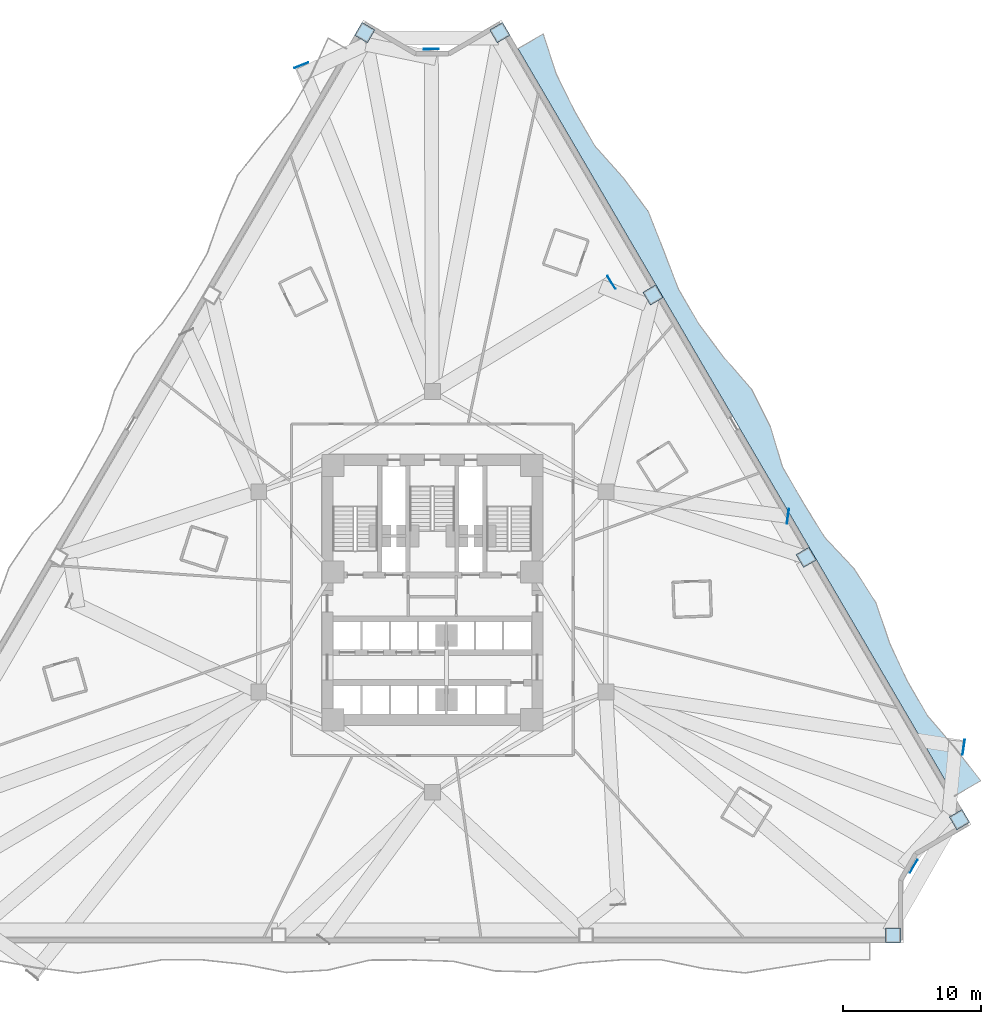
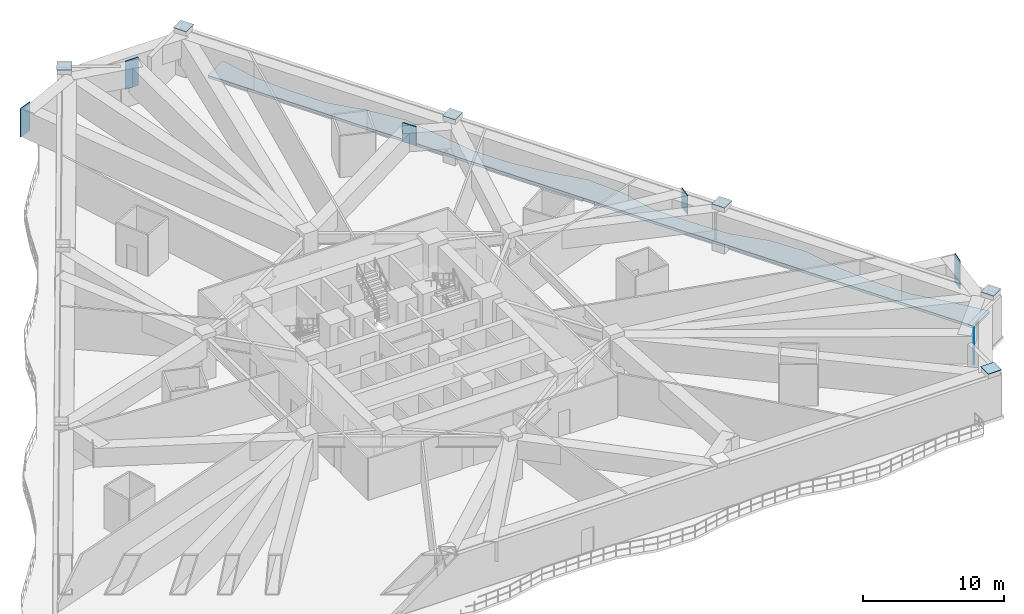
# One storey, part 6 of 16: 12 plates, 1 slab.
"""IFC4 building model written with IfcOpenShell, lengths in metres."""

import ifcopenshell
import ifcopenshell.guid

model = None  # the IFC model being written
_history = None  # IfcOwnerHistory: only IFC2X3 demands one
_inside = {}  # id of a spatial element -> (the spatial element, [elements in it])
_under = {}  # id of a project, library or spatial element -> (it, [spatial elements below it])
_declared = {}  # id of a project -> (the project, [libraries it declares])
_typed = {}  # id of a type object -> (the type object, [elements of that type])
_made_of = {}  # id of a material, layer set ... -> (it, [elements and type objects made of it])


def new_model(schema):
    """Start an empty IFC model of exactly this schema.

    Asked for "IFC4X3", IfcOpenShell would pick the latest addendum, in which some entities
    have other attributes; the version numbers below select the first issue.
    IFC2X3 requires an IfcOwnerHistory on every rooted entity: one is made here for all.
    """
    global model, _history
    if schema == "IFC4X3":
        model = ifcopenshell.file(schema_version=(4, 3, 0, 0))
    else:
        model = ifcopenshell.file(schema=schema)
    _inside.clear()
    _under.clear()
    _declared.clear()
    _typed.clear()
    _made_of.clear()
    _history = None
    if model.schema == "IFC2X3":
        org = make("IfcOrganization", Name="unknown")
        user = make(
            "IfcPersonAndOrganization",
            ThePerson=make("IfcPerson", FamilyName="unknown"),
            TheOrganization=org,
        )
        app = make(
            "IfcApplication",
            ApplicationDeveloper=org,
            Version="unknown",
            ApplicationFullName="unknown",
            ApplicationIdentifier="unknown",
        )
        _history = make(
            "IfcOwnerHistory",
            OwningUser=user,
            OwningApplication=app,
            ChangeAction="ADDED",
            CreationDate=0,
        )
    return model


def make(cls, **values):
    """One entity of the class cls with the attributes given. An attribute that is None is left unset."""
    return model.create_entity(
        cls, **{name: value for name, value in values.items() if value is not None}
    )


def rooted(cls, **values):
    """An entity with a GlobalId (a new one), such as an element, a storey or a relation."""
    return make(cls, GlobalId=ifcopenshell.guid.new(), OwnerHistory=_history, **values)


def si_unit(unit_type, name, prefix=None):
    """IfcSIUnit, for example si_unit("LENGTHUNIT", "METRE", prefix="MILLI")."""
    return make("IfcSIUnit", UnitType=unit_type, Prefix=prefix, Name=name)


def assignment(units):
    """IfcUnitAssignment: the units of a project."""
    return None if units is None else make("IfcUnitAssignment", Units=units)


def point(xyz):
    """IfcCartesianPoint."""
    return None if xyz is None else make("IfcCartesianPoint", Coordinates=xyz)


def direction(xyz):
    """IfcDirection."""
    return None if xyz is None else make("IfcDirection", DirectionRatios=xyz)


def frame(location, z_axis=None, x_axis=None):
    """IfcAxis2Placement3D, a coordinate frame: its origin and axes. An axis left out is left unset."""
    return make(
        "IfcAxis2Placement3D",
        Location=point(location),
        Axis=direction(z_axis),
        RefDirection=direction(x_axis),
    )


def frame_2d(location, x_axis=None):
    """IfcAxis2Placement2D, a coordinate frame in the plane: its origin and x axis."""
    return make(
        "IfcAxis2Placement2D", Location=point(location), RefDirection=direction(x_axis)
    )


def origin():
    """The frame at (0, 0, 0) with its axes left unset."""
    return frame((0.0, 0.0, 0.0))


def origin_2d():
    """The frame at (0, 0) in the plane with its x axis left unset."""
    return frame_2d((0.0, 0.0))


def place(relative_to, where):
    """IfcLocalPlacement: puts the frame where relative to a parent placement (None: the world)."""
    return make(
        "IfcLocalPlacement", PlacementRelTo=relative_to, RelativePlacement=where
    )


def context(
    kind, dimensions, precision=None, world=None, true_north=None, identifier=None
):
    """IfcGeometricRepresentationContext, for example the 3D "Model" context."""
    return make(
        "IfcGeometricRepresentationContext",
        ContextIdentifier=identifier,
        ContextType=kind,
        CoordinateSpaceDimension=dimensions,
        Precision=precision,
        WorldCoordinateSystem=world,
        TrueNorth=true_north,
    )


def subcontext(parent, identifier, kind, view, scale=None):
    """IfcGeometricRepresentationSubContext, for example "Body" below "Model"."""
    return make(
        "IfcGeometricRepresentationSubContext",
        ContextIdentifier=identifier,
        ContextType=kind,
        ParentContext=parent,
        TargetScale=scale,
        TargetView=view,
    )


def project(units=None, contexts=None):
    """IfcProject with its units and contexts."""
    return rooted(
        "IfcProject",
        Name="project",
        RepresentationContexts=contexts,
        UnitsInContext=assignment(units),
    )


def spatial(cls, under=None, at=None, **own):
    """A site, building, storey or space (cls), placed at a placement, below another one or the project."""
    s = rooted(cls, ObjectPlacement=at, **own)
    if under is not None:
        _under.setdefault(under.id(), (under, []))[1].append(s)
    return s


def polyline(points):
    """IfcPolyline through the points."""
    return make("IfcPolyline", Points=[point(p) for p in points])


def profile(cls, at=None, kind="AREA", **sizes):
    """A parametric profile (cls). Its sizes go by their IFC names, for example OverallWidth=200.0."""
    return make(cls, ProfileType=kind, Position=at, **sizes)


def rectangle(**sizes):
    """IfcRectangleProfileDef."""
    return profile("IfcRectangleProfileDef", **sizes)


def outline(outer, holes=None, kind="AREA"):
    """IfcArbitraryClosedProfileDef: a profile drawn as a closed curve; with holes, ...WithVoids."""
    if holes is None:
        return make("IfcArbitraryClosedProfileDef", ProfileType=kind, OuterCurve=outer)
    return make(
        "IfcArbitraryProfileDefWithVoids",
        ProfileType=kind,
        OuterCurve=outer,
        InnerCurves=holes,
    )


def extrude(swept, where, along, depth):
    """IfcExtrudedAreaSolid: the profile swept, set in the frame where, extruded along a direction by depth."""
    return make(
        "IfcExtrudedAreaSolid",
        SweptArea=swept,
        Position=where,
        ExtrudedDirection=direction(along),
        Depth=depth,
    )


def shape(context_of_items, identifier, shape_type, items):
    """IfcShapeRepresentation: the items that make up one representation, for example the "Body"."""
    return make(
        "IfcShapeRepresentation",
        ContextOfItems=context_of_items,
        RepresentationIdentifier=identifier,
        RepresentationType=shape_type,
        Items=items,
    )


def material(Name=None, Category=None):
    """IfcMaterial."""
    return make("IfcMaterial", Name=Name, Category=Category)


def layer(
    of_material, thickness, ventilated=None, Name=None, Category=None, Priority=None
):
    """IfcMaterialLayer: one layer of a wall or slab, of a material (None: an air gap)."""
    return make(
        "IfcMaterialLayer",
        Material=of_material,
        LayerThickness=thickness,
        IsVentilated=ventilated,
        Name=Name,
        Category=Category,
        Priority=Priority,
    )


def layer_set(layers, Name=None):
    """IfcMaterialLayerSet."""
    return make("IfcMaterialLayerSet", MaterialLayers=layers, LayerSetName=Name)


def made_of(thing, what):
    """Note that an element or type object is made of a material, layer set ...; save() writes the relation."""
    if what is not None:
        _made_of.setdefault(what.id(), (what, []))[1].append(thing)
    return thing


def type_object(cls, material=None, **own):
    """A type object (cls), such as IfcWallType, which elements share."""
    return made_of(rooted(cls, **own), material)


def element(
    cls,
    number,
    at=None,
    inside=None,
    cuts=None,
    type_object=None,
    material=None,
    context=None,
    identifier="Body",
    shape_type=None,
    held_by="IfcProductDefinitionShape",
    body=None,
    shapes=None,
    **own,
):
    """One element of the class cls, such as IfcWall. Its Tag is "e" and its number.

    at: its placement. inside: the storey or other place that contains it. cuts: it is an
    opening in that element (IfcRelVoidsElement). A single representation is given by context,
    identifier, shape_type and body (its items); several are given by shapes. held_by: the class
    of the entity that holds the representations. save() writes the other relations.
    """
    e = rooted(cls, Tag="e%d" % number, ObjectPlacement=at, **own)
    if body is not None:
        shapes = [shape(context, identifier, shape_type, body)]
    if shapes is not None:
        e.Representation = make(held_by, Representations=shapes)
    if inside is not None:
        _inside.setdefault(inside.id(), (inside, []))[1].append(e)
    if cuts is not None:
        rooted(
            "IfcRelVoidsElement", RelatingBuildingElement=cuts, RelatedOpeningElement=e
        )
    if type_object is not None:
        _typed.setdefault(type_object.id(), (type_object, []))[1].append(e)
    return made_of(e, material)


def aggregate(whole, parts):
    """IfcRelAggregates: a whole, such as a stair, and the parts it consists of."""
    return rooted("IfcRelAggregates", RelatingObject=whole, RelatedObjects=parts)


def save(model, path):
    """Write the relations noted so far, then the file.

    IfcRelAggregates (storeys below a building ...), IfcRelContainedInSpatialStructure (elements
    in a storey), IfcRelDefinesByType, IfcRelAssociatesMaterial and IfcRelDeclares: one each for
    every whole, place, type object, material and project.
    """
    for whole, parts in _under.values():
        aggregate(whole, parts)
    for where, things in _inside.values():
        rooted(
            "IfcRelContainedInSpatialStructure",
            RelatedElements=things,
            RelatingStructure=where,
        )
    for kind, things in _typed.values():
        rooted("IfcRelDefinesByType", RelatedObjects=things, RelatingType=kind)
    for what, things in _made_of.values():
        rooted("IfcRelAssociatesMaterial", RelatedObjects=things, RelatingMaterial=what)
    for by, libraries in _declared.values():
        rooted("IfcRelDeclares", RelatingContext=by, RelatedDefinitions=libraries)
    model.write(path)


model = new_model("IFC4")

# Units and contexts
model_context = context("Model", 3, precision=1e-05, world=origin(), true_north=direction((0.0, 1.0)))
body_context = subcontext(model_context, "Body", "Model", "MODEL_VIEW")
ifc_project = project(units=[si_unit("LENGTHUNIT", "METRE"), si_unit("AREAUNIT", "SQUARE_METRE"), si_unit("VOLUMEUNIT", "CUBIC_METRE"), si_unit("PLANEANGLEUNIT", "RADIAN"), si_unit("MASSUNIT", "GRAM", prefix="KILO")], contexts=[model_context])

# Site, building, storey
site_placement = place(None, origin())
site = spatial("IfcSite", under=ifc_project, at=site_placement, CompositionType="ELEMENT")
building_placement = place(site_placement, origin())
building = spatial("IfcBuilding", under=site, at=building_placement, Name="Apsidion Concourse Tower", CompositionType="ELEMENT")
storey_placement = place(building_placement, frame((0.0, 0.0, 58.39990234375)))
storey = spatial("IfcBuildingStorey", under=building, at=storey_placement, Name="L12", CompositionType="ELEMENT", Elevation=58.39990234375)

# Plates
ifc_material_1 = material(Name="Structural steel ASTM A572 Grade 50", Category="steel")
ifc_layer_1 = layer(ifc_material_1, 0.034912109375)
ifc_layer_set_1 = layer_set([ifc_layer_1], Name="Structural steel ASTM A572 Grade 50")
plate_type = type_object("IfcPlateType", Name="PL-ENDCAP-35", PredefinedType="USERDEFINED", material=ifc_layer_set_1)
for number, where, z_axis, x_axis, name in (
    (1, (-4.887451171875, 40.481201171875, 3.998046875), (0.0, 0.0, 1.0), (0.50437692518, 0.863483594138, 0.0), "L12 Step-Top Column End-Cap Plate PCCAP-PC01"),
    (2, (33.35009765625, -24.85009765625, 3.998046875), (0.0, 0.0, 1.0), (1.0, 0.0, 0.0), "L12 Step-Top Column End-Cap Plate PCCAP-PC08"),
    (3, (38.154052734375, -16.481201171875, 3.998046875), (0.0, 0.0, 1.0), (-0.50437692518, 0.863483594138, 0.0), "L12 Step-Top Column End-Cap Plate PCCAP-PC09"),
    (4, (27.065185546875, 2.50634765625, 3.998046875), (0.0, 0.0, 1.0), (-0.50437692518, 0.863483594138, 0.0), "L12 Step-Top Column End-Cap Plate PCCAP-PC10"),
    (5, (15.976318359375, 21.49365234375, 3.998046875), (0.0, 0.0, 1.0), (-0.50437692518, 0.863483594138, 0.0), "L12 Step-Top Column End-Cap Plate PCCAP-PC11"),
    (6, (4.887451171875, 40.481201171875, 3.998046875), (0.0, 0.0, 1.0), (-0.50437692518, 0.863483594138, 0.0), "L12 Step-Top Column End-Cap Plate PCCAP-PC12"),
):
    element("IfcPlate", number, at=place(storey_placement, frame(where, z_axis=z_axis, x_axis=x_axis)), inside=storey, type_object=plate_type, Name=name, ObjectType="FLANGE_PLATE", PredefinedType="USERDEFINED", context=body_context, shape_type="SweptSolid", body=[
        extrude(rectangle(XDim=1.080078125, YDim=1.080078125, at=origin_2d()), origin(), (0.0, 0.0, 1.0), 0.0400390625),
    ])
for number, where, z_axis, x_axis, name in (
    (7, (-9.4814453125, 38.118408203125, 1.16015625), (0.0, 0.0, 1.0), (-0.372501917543, 0.92803142265, 0.0), "L12 Radial Transfer Girder End-Cap Plate NTRCAP-01"),
    (8, (34.83447265625, -19.860595703125, 1.16015625), (0.0, 0.0, 1.0), (0.87018375467, -0.492727341548, 0.0), "L12 Radial Transfer Girder End-Cap Plate NTRCAP-08"),
    (9, (38.456787109375, -11.2421875, 1.16015625), (0.0, 0.0, 1.0), (0.988334944875, -0.152295885498, 0.0), "L12 Radial Transfer Girder End-Cap Plate NTRCAP-09"),
):
    element("IfcPlate", number, at=place(storey_placement, frame(where, z_axis=z_axis, x_axis=x_axis)), inside=storey, type_object=plate_type, Name=name, ObjectType="FLANGE_PLATE", PredefinedType="USERDEFINED", context=body_context, shape_type="SweptSolid", body=[
        extrude(rectangle(XDim=0.044921875, YDim=1.080078125, at=origin_2d()), origin(), (0.0, 0.0, 1.0), 2.47998046875),
    ])
for number, where, z_axis, x_axis, name in (
    (10, (25.73583984375, 5.46484375, 1.9599609375), (0.0, 0.0, 1.0), (0.99093636934, -0.134332095642, 0.0), "L12 Radial Transfer Girder End-Cap Plate NTRCAP-10"),
    (11, (12.963623046875, 22.40625, 1.9599609375), (0.0, 0.0, 1.0), (0.853732611941, 0.52071165467, 0.0), "L12 Radial Transfer Girder End-Cap Plate NTRCAP-11"),
):
    element("IfcPlate", number, at=place(storey_placement, frame(where, z_axis=z_axis, x_axis=x_axis)), inside=storey, type_object=plate_type, Name=name, ObjectType="FLANGE_PLATE", PredefinedType="USERDEFINED", context=body_context, shape_type="SweptSolid", body=[
        extrude(rectangle(XDim=0.044921875, YDim=1.080078125, at=origin_2d()), origin(), (0.0, 0.0, 1.0), 1.679931640625),
    ])
plate_placement = place(storey_placement, frame((-0.073486328125, 39.283203125, 1.16015625), z_axis=(0.0, 0.0, 1.0), x_axis=(-0.002967055375, 0.999995598282, 0.0)))
element("IfcPlate", 12, at=plate_placement, inside=storey, type_object=plate_type, Name="L12 Radial Transfer Girder End-Cap Plate NTRCAP-12", ObjectType="FLANGE_PLATE", PredefinedType="USERDEFINED", context=body_context, shape_type="SweptSolid", body=[
    extrude(rectangle(XDim=0.044921875, YDim=1.080078125, at=origin_2d()), origin(), (0.0, 0.0, 1.0), 2.47998046875),
])

# Slab
ifc_material_2 = material(Name="Concrete C50/60", Category="concrete")
ifc_layer_2 = layer(ifc_material_2, 0.219970703125)
ifc_layer_set_2 = layer_set([ifc_layer_2], Name="Concrete C50/60")
slab_type = type_object("IfcSlabType", Name="SL-BAL-220", PredefinedType="FLOOR", material=ifc_layer_set_2)
slab_placement = place(storey_placement, frame((0.0, 0.0, -0.219970703125)))
element("IfcSlab", 13, at=slab_placement, inside=storey, type_object=slab_type, Name="L12 Face 3 Rippling Balcony Slab", PredefinedType="FLOOR", context=body_context, shape_type="SweptSolid", body=[
    extrude(outline(polyline([(37.789306640625, -14.772705078125), (36.285400390625, -12.19677734375), (34.78125, -9.620849609375), (33.277099609375, -7.044921875), (31.773193359375, -4.468994140625), (30.269287109375, -1.892822265625), (28.76513671875, 0.68310546875), (27.260986328125, 3.259033203125), (25.757080078125, 5.8349609375), (24.253173828125, 8.410888671875), (22.7490234375, 10.987060546875), (21.2451171875, 13.56298828125), (19.740966796875, 16.138916015625), (18.237060546875, 18.715087890625), (16.73291015625, 21.291015625), (15.22900390625, 23.866943359375), (13.724853515625, 26.44287109375), (12.220947265625, 29.018798828125), (10.716796875, 31.594970703125), (9.212890625, 34.1708984375), (7.708740234375, 36.746826171875), (6.204833984375, 39.32275390625), (8.026611328125, 40.386474609375), (8.972412109375, 37.484619140625), (10.292236328125, 34.801025390625), (11.79638671875, 32.22509765625), (13.831787109375, 29.95947265625), (15.62158203125, 27.55029296875), (16.72900390625, 24.742919921875), (17.8125, 21.921142578125), (19.31640625, 19.34521484375), (21.124755859375, 16.947021484375), (23.11669921875, 14.65576171875), (24.45703125, 11.984130859375), (25.345947265625, 9.049072265625), (26.836669921875, 6.46533203125), (28.409423828125, 3.929443359375), (30.516357421875, 1.70556640625), (32.118896484375, -0.81298828125), (33.0966796875, -3.696044921875), (34.356689453125, -6.41455078125), (35.860595703125, -8.990478515625), (37.842041015625, -11.287841796875), (39.689208984375, -13.66357421875), (37.789306640625, -14.772705078125)])), origin(), (0.0, 0.0, 1.0), 0.219970703125),
])

save(model, "model.ifc")
